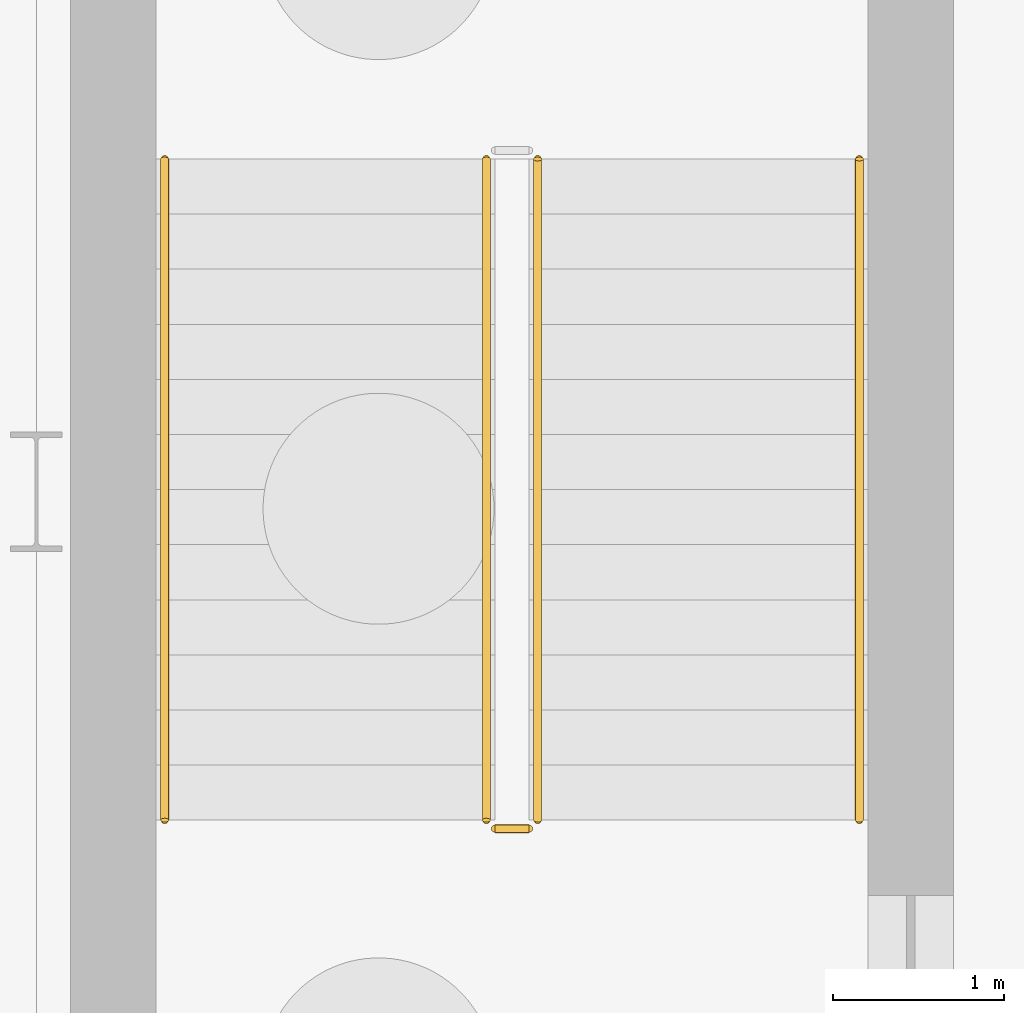
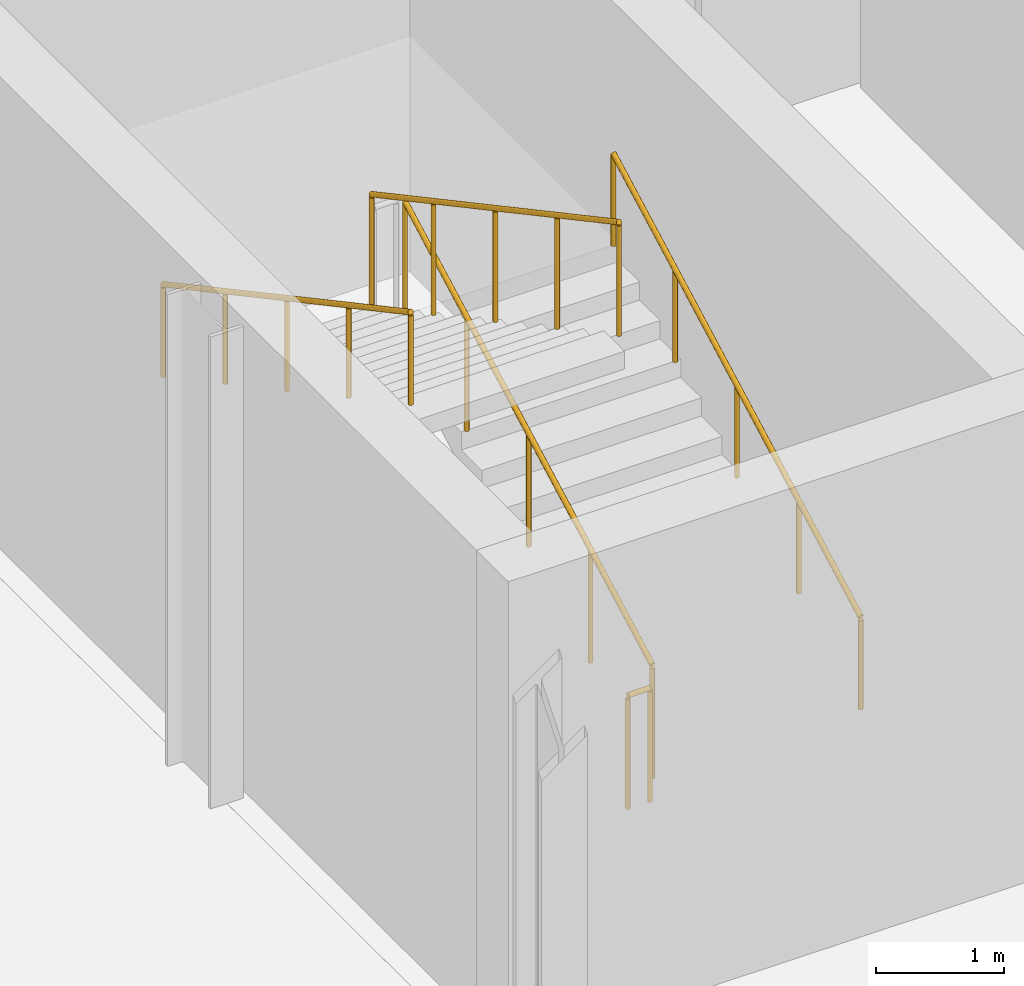
# One storey, part 39 of 45: 5 railings.
"""IFC4 building model written with IfcOpenShell, lengths in metres."""

from ifc_helpers import new_model, si_unit, direction, frame, origin, origin_2d, place, context, subcontext, project, spatial, circle, extrude, material, type_object, element, save


model = new_model("IFC4")

# Units and contexts
model_context = context("Model", 3, precision=1e-05, world=origin(), true_north=direction((0.0, 1.0)))
body_context = subcontext(model_context, "Body", "Model", "MODEL_VIEW")
ifc_project = project(units=[si_unit("LENGTHUNIT", "METRE"), si_unit("AREAUNIT", "SQUARE_METRE"), si_unit("VOLUMEUNIT", "CUBIC_METRE"), si_unit("PLANEANGLEUNIT", "RADIAN"), si_unit("MASSUNIT", "GRAM", prefix="KILO")], contexts=[model_context])

# Site, building, storey
site_placement = place(None, origin())
site = spatial("IfcSite", under=ifc_project, at=site_placement, CompositionType="ELEMENT")
building_placement = place(site_placement, origin())
building = spatial("IfcBuilding", under=site, at=building_placement, Name="Sefraquen Railside Congress Hotel", CompositionType="ELEMENT")
storey_placement = place(building_placement, frame((0.0, 0.0, -4.5)))
storey = spatial("IfcBuildingStorey", under=building, at=storey_placement, Name="B01", CompositionType="ELEMENT", Elevation=-4.5)

# Railings
ifc_material = material(Name="Patinated wrought architectural bronze", Category="metal")
railing_type_1 = type_object("IfcRailingType", Name="TRL-BAL-110", PredefinedType="BALUSTRADE", material=ifc_material)
railing_1_placement = place(storey_placement, frame((67.1298828125, 99.47998046875, 0.173095703125)))
element("IfcRailing", 1, at=railing_1_placement, inside=storey, type_object=railing_type_1, Name="B01 ST-H03 stair guard 1", PredefinedType="BALUSTRADE", context=body_context, shape_type="SweptSolid", body=[
    extrude(circle(Radius=0.02392578125, at=origin_2d()), frame((0.0, 0.0, 1.076171875), z_axis=(0.0, 0.880824687122, 0.473442573662), x_axis=(-1.0, 0.0, 0.0)), (0.0, 0.0, 1.0), 4.38671875),
    extrude(circle(Radius=0.02099609375, at=origin_2d()), origin(), (0.0, 0.0, 1.0), 1.052001953125),
    extrude(circle(Radius=0.02099609375, at=origin_2d()), frame((0.0, 0.966064453125, 0.519287109375)), (0.0, 0.0, 1.0), 1.052001953125),
    extrude(circle(Radius=0.02099609375, at=origin_2d()), frame((0.0, 1.93212890625, 1.03857421875)), (0.0, 0.0, 1.0), 1.052001953125),
    extrude(circle(Radius=0.02099609375, at=origin_2d()), frame((0.0, 2.89794921875, 1.5576171875)), (0.0, 0.0, 1.0), 1.052001953125),
    extrude(circle(Radius=0.02099609375, at=origin_2d()), frame((0.0, 3.864013671875, 2.076904296875)), (0.0, 0.0, 1.0), 1.052001953125),
])
railing_2_placement = place(storey_placement, frame((66.830078125, 103.343994140625, 2.423095703125)))
element("IfcRailing", 2, at=railing_2_placement, inside=storey, type_object=railing_type_1, Name="B01 ST-H03 stair guard 3", PredefinedType="BALUSTRADE", context=body_context, shape_type="SweptSolid", body=[
    extrude(circle(Radius=0.02392578125, at=origin_2d()), frame((0.0, 0.0, 1.076171875), z_axis=(0.0, -0.880824687122, 0.473442573662), x_axis=(1.0, 0.0, 0.0)), (0.0, 0.0, 1.0), 4.38671875),
    extrude(circle(Radius=0.02099609375, at=origin_2d()), origin(), (0.0, 0.0, 1.0), 1.052001953125),
    extrude(circle(Radius=0.02099609375, at=origin_2d()), frame((0.0, -0.966064453125, 0.519287109375)), (0.0, 0.0, 1.0), 1.052001953125),
    extrude(circle(Radius=0.02099609375, at=origin_2d()), frame((0.0, -1.93212890625, 1.03857421875)), (0.0, 0.0, 1.0), 1.052001953125),
    extrude(circle(Radius=0.02099609375, at=origin_2d()), frame((0.0, -2.89794921875, 1.5576171875)), (0.0, 0.0, 1.0), 1.052001953125),
    extrude(circle(Radius=0.02099609375, at=origin_2d()), frame((0.0, -3.864013671875, 2.076904296875)), (0.0, 0.0, 1.0), 1.052001953125),
])
railing_3_placement = place(storey_placement, frame((67.080078125, 99.429931640625, 0.0)))
element("IfcRailing", 3, at=railing_3_placement, inside=storey, type_object=railing_type_1, Name="B01 ST-H03 stair guard 4", PredefinedType="BALUSTRADE", context=body_context, shape_type="SweptSolid", body=[
    extrude(circle(Radius=0.02392578125, at=origin_2d()), frame((0.0, 0.0, 1.076171875), z_axis=(-1.0, 0.0, 0.0), x_axis=(0.0, -1.0, 0.0)), (0.0, 0.0, 1.0), 0.2001953125),
    extrude(circle(Radius=0.02099609375, at=origin_2d()), origin(), (0.0, 0.0, 1.0), 1.052001953125),
    extrude(circle(Radius=0.02099609375, at=origin_2d()), frame((-0.2001953125, 0.0, 0.0)), (0.0, 0.0, 1.0), 1.052001953125),
])
railing_type_2 = type_object("IfcRailingType", Name="TRL-HR-090", PredefinedType="HANDRAIL", material=ifc_material)
railing_4_placement = place(storey_placement, frame((69.010009765625, 99.47998046875, 0.173095703125)))
element("IfcRailing", 4, at=railing_4_placement, inside=storey, type_object=railing_type_2, Name="B01 ST-H03 stair handrail 1", PredefinedType="HANDRAIL", context=body_context, shape_type="SweptSolid", body=[
    extrude(circle(Radius=0.02392578125, at=origin_2d()), frame((0.0, 0.0, 0.8759765625), z_axis=(0.0, 0.880824687122, 0.473442573662), x_axis=(-1.0, 0.0, 0.0)), (0.0, 0.0, 1.0), 4.38671875),
    extrude(circle(Radius=0.02099609375, at=origin_2d()), origin(), (0.0, 0.0, 1.0), 0.851806640625),
    extrude(circle(Radius=0.02099609375, at=origin_2d()), frame((0.0, 0.966064453125, 0.519287109375)), (0.0, 0.0, 1.0), 0.851806640625),
    extrude(circle(Radius=0.02099609375, at=origin_2d()), frame((0.0, 1.93212890625, 1.03857421875)), (0.0, 0.0, 1.0), 0.851806640625),
    extrude(circle(Radius=0.02099609375, at=origin_2d()), frame((0.0, 2.89794921875, 1.5576171875)), (0.0, 0.0, 1.0), 0.851806640625),
    extrude(circle(Radius=0.02099609375, at=origin_2d()), frame((0.0, 3.864013671875, 2.076904296875)), (0.0, 0.0, 1.0), 0.851806640625),
])
railing_5_placement = place(storey_placement, frame((64.949951171875, 103.343994140625, 2.423095703125)))
element("IfcRailing", 5, at=railing_5_placement, inside=storey, type_object=railing_type_2, Name="B01 ST-H03 stair handrail 2", PredefinedType="HANDRAIL", context=body_context, shape_type="SweptSolid", body=[
    extrude(circle(Radius=0.02392578125, at=origin_2d()), frame((0.0, 0.0, 0.8759765625), z_axis=(0.0, -0.880824687122, 0.473442573662), x_axis=(1.0, 0.0, 0.0)), (0.0, 0.0, 1.0), 4.38671875),
    extrude(circle(Radius=0.02099609375, at=origin_2d()), origin(), (0.0, 0.0, 1.0), 0.851806640625),
    extrude(circle(Radius=0.02099609375, at=origin_2d()), frame((0.0, -0.966064453125, 0.519287109375)), (0.0, 0.0, 1.0), 0.851806640625),
    extrude(circle(Radius=0.02099609375, at=origin_2d()), frame((0.0, -1.93212890625, 1.03857421875)), (0.0, 0.0, 1.0), 0.851806640625),
    extrude(circle(Radius=0.02099609375, at=origin_2d()), frame((0.0, -2.89794921875, 1.5576171875)), (0.0, 0.0, 1.0), 0.851806640625),
    extrude(circle(Radius=0.02099609375, at=origin_2d()), frame((0.0, -3.864013671875, 2.076904296875)), (0.0, 0.0, 1.0), 0.851806640625),
])

save(model, "model.ifc")
